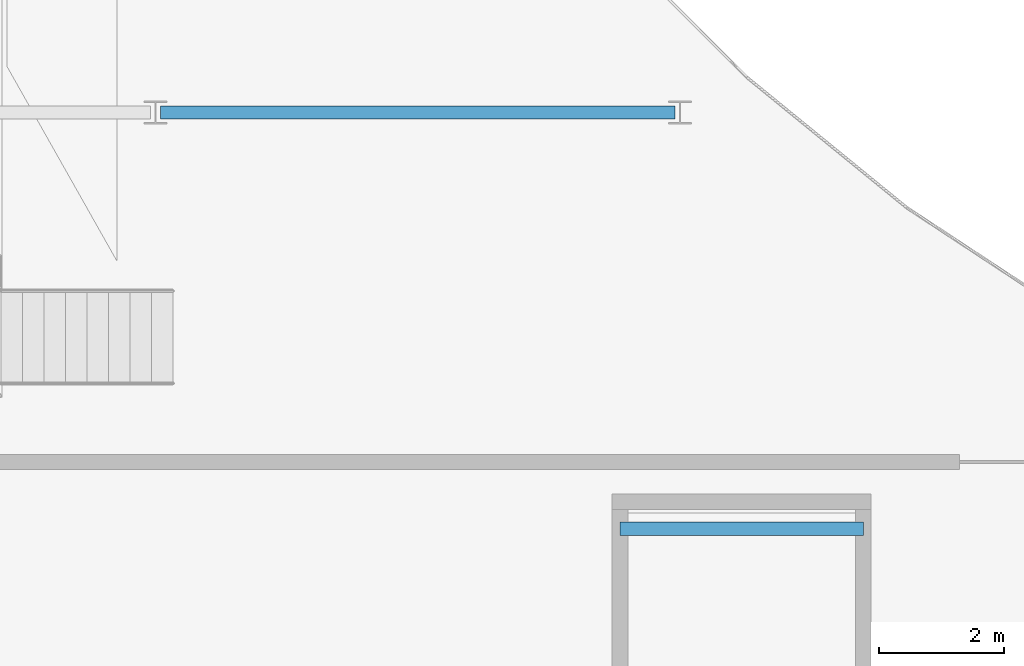
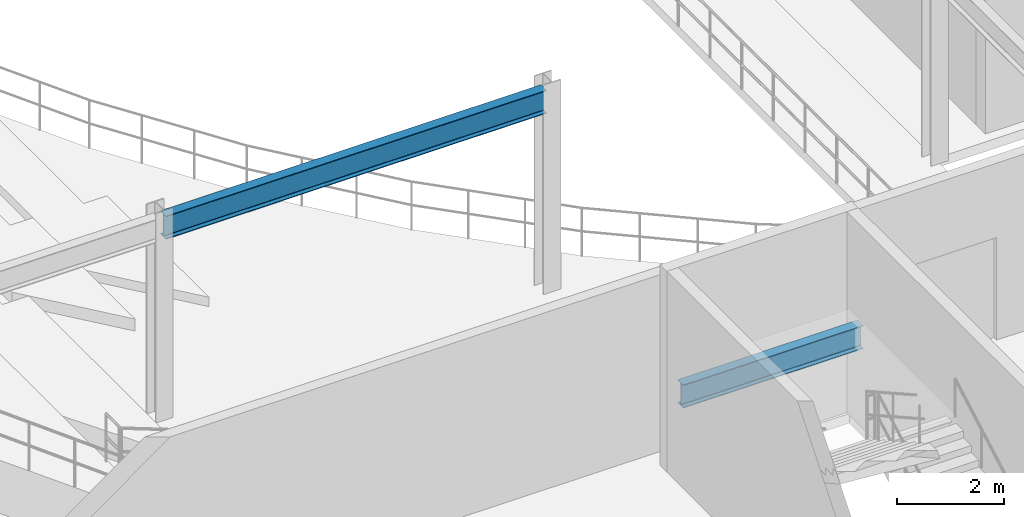
# One storey, part 22 of 105: 2 beams.
"""IFC4 building model written with IfcOpenShell, lengths in metres."""

from ifc_helpers import new_model, si_unit, direction, frame, origin, origin_2d, place, context, subcontext, project, spatial, i_section, extrude, material, material_profile, profile_set, type_object, element, save


model = new_model("IFC4")

# Units and contexts
model_context = context("Model", 3, precision=1e-05, world=origin(), true_north=direction((0.0, 1.0)))
body_context = subcontext(model_context, "Body", "Model", "MODEL_VIEW")
ifc_project = project(units=[si_unit("LENGTHUNIT", "METRE"), si_unit("AREAUNIT", "SQUARE_METRE"), si_unit("VOLUMEUNIT", "CUBIC_METRE"), si_unit("PLANEANGLEUNIT", "RADIAN"), si_unit("MASSUNIT", "GRAM", prefix="KILO")], contexts=[model_context])

# Site, building, storey
site_placement = place(None, origin())
site = spatial("IfcSite", under=ifc_project, at=site_placement, CompositionType="ELEMENT")
building_placement = place(site_placement, origin())
building = spatial("IfcBuilding", under=site, at=building_placement, Name="Selat Folded Stagehouse", CompositionType="ELEMENT")
storey_placement = place(building_placement, frame((0.0, 0.0, 10.199951171875)))
storey = spatial("IfcBuildingStorey", under=building, at=storey_placement, Name="L02", CompositionType="ELEMENT", Elevation=10.199951171875)

# Beams
ifc_material = material(Name="Steel S355", Category="steel")
ifc_material_profile = material_profile(ifc_material, i_section(OverallWidth=0.209228515625, OverallDepth=0.533203125, WebThickness=0.010009765625, FlangeThickness=0.015625, FilletRadius=0.0126953125, at=origin_2d()), Name="UKB 533x210x92")
ifc_profile_set = profile_set([ifc_material_profile], Name="Steel S355")
beam_type = type_object("IfcBeamType", Name="BM-GIRD-533x210x92", PredefinedType="BEAM", material=ifc_profile_set)
beam_1_placement = place(storey_placement, frame((16.8798828125, 23.39990234375, 4.33349609375), z_axis=(1.0, 0.0, 0.0), x_axis=(0.0, 1.0, 0.0)))
element("IfcBeam", 1, at=beam_1_placement, inside=storey, type_object=beam_type, Name="L02 primary x-girder 1009", PredefinedType="BEAM", context=body_context, shape_type="SweptSolid", body=[
    extrude(i_section(OverallWidth=0.209228515625, OverallDepth=0.533203125, WebThickness=0.010009765625, FlangeThickness=0.015625, FilletRadius=0.0126953125, at=origin_2d()), origin(), (0.0, 0.0, 1.0), 8.240234375),
])
beam_2_placement = place(storey_placement, frame((24.239990234375, 16.72998046875, 1.933349609375), z_axis=(1.0, 0.0, 0.0), x_axis=(0.0, 1.0, 0.0)))
element("IfcBeam", 2, at=beam_2_placement, inside=storey, type_object=beam_type, Name="L02 ST-09 landing support beam 2", PredefinedType="BEAM", context=body_context, shape_type="SweptSolid", body=[
    extrude(i_section(OverallWidth=0.209228515625, OverallDepth=0.533203125, WebThickness=0.010009765625, FlangeThickness=0.015625, FilletRadius=0.0126953125, at=origin_2d()), origin(), (0.0, 0.0, 1.0), 3.89990234375),
])

save(model, "model.ifc")
